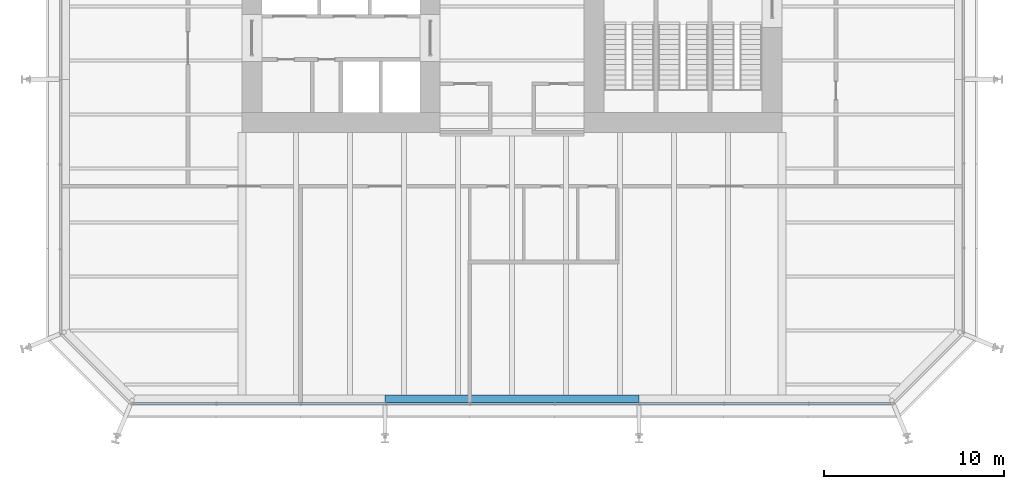
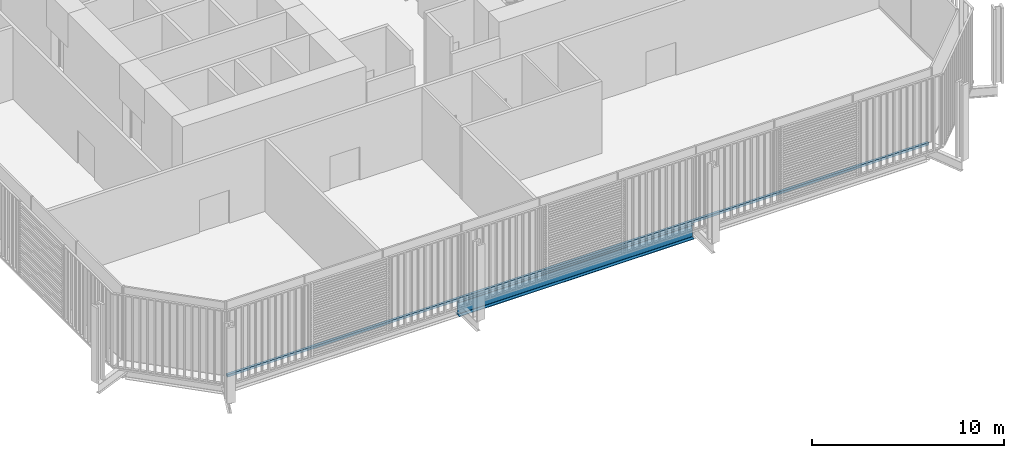
# One storey, part 3 of 22: 1 beam, 1 member, 1 element without a shape of its own.
"""IFC4 building model written with IfcOpenShell, lengths in metres."""

from ifc_helpers import new_model, si_unit, direction, frame, origin, origin_2d, place, context, subcontext, project, spatial, rectangle, i_section, extrude, material, layer, layer_set, material_profile, profile_set, type_object, element, aggregate, save


model = new_model("IFC4")

# Units and contexts
model_context = context("Model", 3, precision=1e-05, world=origin(), true_north=direction((0.0, 1.0)))
body_context = subcontext(model_context, "Body", "Model", "MODEL_VIEW")
ifc_project = project(units=[si_unit("LENGTHUNIT", "METRE"), si_unit("AREAUNIT", "SQUARE_METRE"), si_unit("VOLUMEUNIT", "CUBIC_METRE"), si_unit("PLANEANGLEUNIT", "RADIAN"), si_unit("MASSUNIT", "GRAM", prefix="KILO")], contexts=[model_context])

# Site, building, storey
site_placement = place(None, origin())
site = spatial("IfcSite", under=ifc_project, at=site_placement, CompositionType="ELEMENT")
building_placement = place(site_placement, origin())
building = spatial("IfcBuilding", under=site, at=building_placement, Name="Millrace Tower", CompositionType="ELEMENT")
storey_placement = place(building_placement, frame((0.0, 0.0, 25.699951171875)))
storey = spatial("IfcBuildingStorey", under=building, at=storey_placement, Name="L06", CompositionType="ELEMENT", Elevation=25.699951171875)

# Curtain wall, member
ifc_material_1 = material(Name="Aluminium and glass", Category="aluminium")
ifc_layer = layer(ifc_material_1, 0.14990234375)
ifc_layer_set = layer_set([ifc_layer], Name="Aluminium and glass")
curtain_wall_type = type_object("IfcCurtainWallType", Name="CW-2 data hall insulated curtain wall", PredefinedType="NOTDEFINED", material=ifc_layer_set)
curtain_wall_placement = place(storey_placement, origin())
curtain_wall = element("IfcCurtainWall", 1, at=curtain_wall_placement, inside=storey, type_object=curtain_wall_type, Name="Curtain wall A-F02 L06", PredefinedType="NOTDEFINED")
ifc_material_2 = material(Name="Aluminium", Category="aluminium")
ifc_material_profile_1 = material_profile(ifc_material_2, rectangle(XDim=0.14990234375, YDim=0.159912109375, at=origin_2d()))
ifc_profile_set_1 = profile_set([ifc_material_profile_1], Name="Aluminium")
member_type = type_object("IfcMemberType", Name="CW-2 data hall insulated curtain wall transom", PredefinedType="USERDEFINED", material=ifc_profile_set_1)
member_placement = place(storey_placement, frame((-21.050048828125, -25.074951171875, 0.080078125), z_axis=(1.0, 0.0, 0.0), x_axis=(0.0, 1.0, 0.0)))
member = element("IfcMember", 2, at=member_placement, type_object=member_type, Name="CW2 transom A-F02.1", ObjectType="TRANSOM", PredefinedType="USERDEFINED", context=body_context, shape_type="SweptSolid", body=[
    extrude(rectangle(XDim=0.14990234375, YDim=0.159912109375, at=origin_2d()), origin(), (0.0, 0.0, 1.0), 42.10009765625),
])
aggregate(curtain_wall, [member])

# Beam
ifc_material_3 = material(Name="Steel ASTM A992 Grade 50", Category="steel")
ifc_material_profile_2 = material_profile(ifc_material_3, i_section(OverallWidth=0.421630859375, OverallDepth=0.937255859375, WebThickness=0.021240234375, FlangeThickness=0.03662109375, FilletRadius=0.024169921875, at=origin_2d()))
ifc_profile_set_2 = profile_set([ifc_material_profile_2], Name="Steel ASTM A992 Grade 50")
beam_type = type_object("IfcBeamType", Name="Ring beam medium span W36x262", PredefinedType="SPANDREL", material=ifc_profile_set_2)
beam_placement = place(storey_placement, frame((7.050048828125, -24.7890625, -0.693603515625), z_axis=(-1.0, 0.0, 0.0), x_axis=(0.0, -1.0, 0.0)))
element("IfcBeam", 3, at=beam_placement, inside=storey, type_object=beam_type, Name="RNG-A-L06-S1-14", PredefinedType="SPANDREL", context=body_context, shape_type="SweptSolid", body=[
    extrude(i_section(OverallWidth=0.421630859375, OverallDepth=0.937255859375, WebThickness=0.021240234375, FlangeThickness=0.03662109375, FilletRadius=0.024169921875, at=origin_2d()), origin(), (0.0, 0.0, 1.0), 14.10009765625),
])

save(model, "model.ifc")
